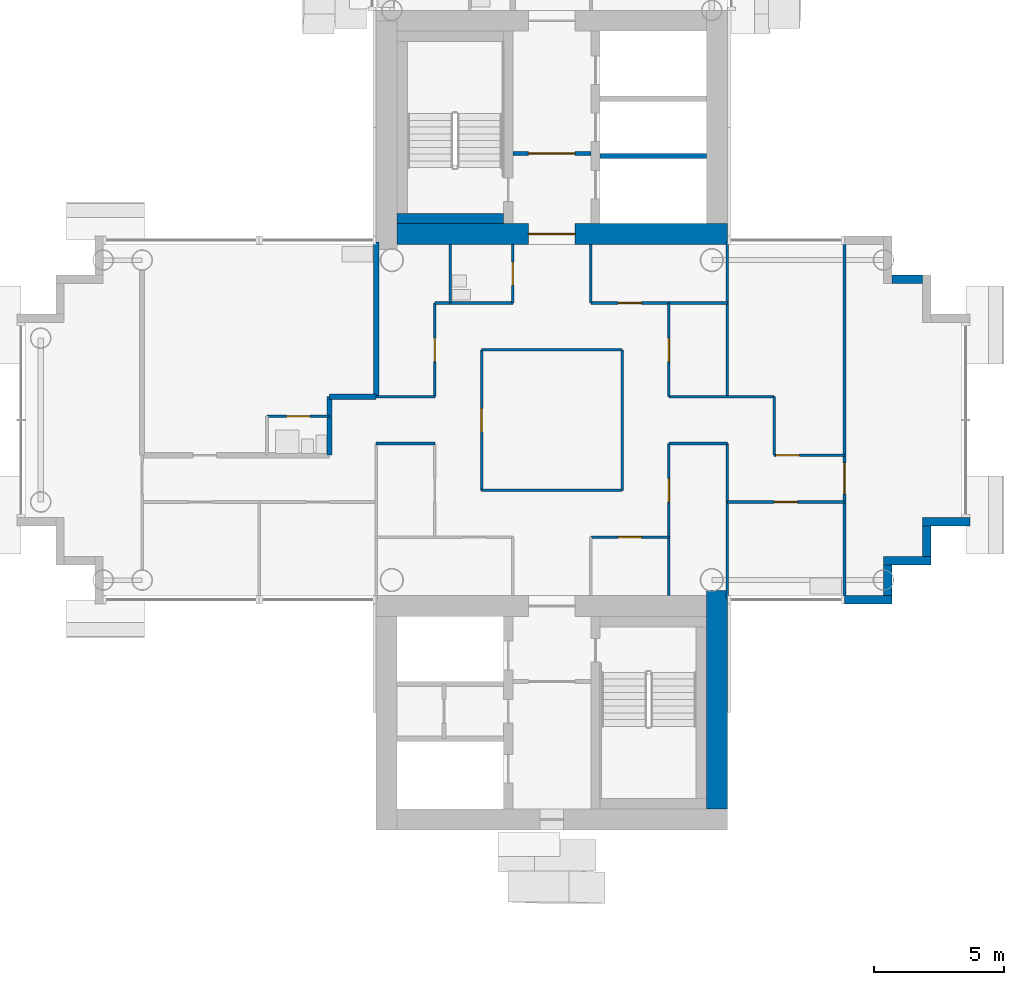
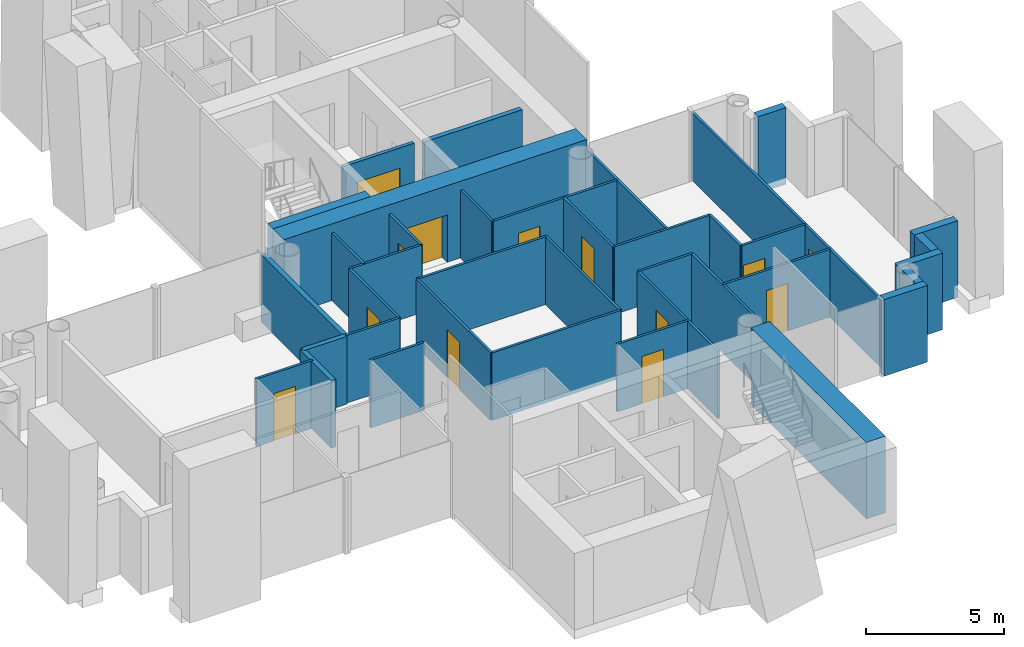
# One storey, part 10 of 18: 38 walls, 13 doors, 13 openings.
"""IFC4 building model written with IfcOpenShell, lengths in metres."""

from ifc_helpers import new_model, si_unit, direction, frame, frame_2d, origin, place, context, subcontext, project, spatial, rectangle, extrude, material, layer, layer_set, type_object, element, fill, save


model = new_model("IFC4")

# Units and contexts
model_context = context("Model", 3, precision=1e-05, world=origin(), true_north=direction((0.0, 1.0)))
body_context = subcontext(model_context, "Body", "Model", "MODEL_VIEW")
ifc_project = project(units=[si_unit("LENGTHUNIT", "METRE"), si_unit("AREAUNIT", "SQUARE_METRE"), si_unit("VOLUMEUNIT", "CUBIC_METRE"), si_unit("PLANEANGLEUNIT", "RADIAN"), si_unit("MASSUNIT", "GRAM", prefix="KILO")], contexts=[model_context])

# Site, building, storey
site_placement = place(None, origin())
site = spatial("IfcSite", under=ifc_project, at=site_placement, CompositionType="ELEMENT")
building_placement = place(site_placement, origin())
building = spatial("IfcBuilding", under=site, at=building_placement, Name="Ipe Terrace Towers", CompositionType="ELEMENT")
storey_placement = place(building_placement, frame((0.0, 0.0, 150.699951171875)))
storey = spatial("IfcBuildingStorey", under=building, at=storey_placement, Name="L41", CompositionType="ELEMENT", Elevation=150.699951171875)

# Walls
ifc_material_1 = material(Name="Concrete C40/50 with buff precast cladding", Category="concrete")
ifc_layer_1 = layer(ifc_material_1, 0.320068359375)
ifc_layer_set_1 = layer_set([ifc_layer_1], Name="BUFF CLADDING WALL 320")
wall_type_1 = type_object("IfcWallType", Name="BUFF CLADDING WALL 320", PredefinedType="STANDARD", material=ifc_layer_set_1)
wall_1_placement = place(storey_placement, frame((47.25, -6.909912109375, -0.300048828125), z_axis=(0.0, 0.0, 1.0), x_axis=(1.0, 0.0, 0.0)))
element("IfcWall", 1, at=wall_1_placement, inside=storey, type_object=wall_type_1, Name="T2-W-L41-03a wall", PredefinedType="STANDARD", context=body_context, shape_type="SweptSolid", body=[
    extrude(rectangle(XDim=1.820068359375, YDim=0.320068359375, at=frame_2d((0.91015625, 0.0))), origin(), (0.0, 0.0, 1.0), 3.400146484375),
])
wall_2_placement = place(storey_placement, frame((48.909912109375, -6.75, -0.300048828125), z_axis=(0.0, 0.0, 1.0), x_axis=(0.0, 1.0, 0.0)))
element("IfcWall", 2, at=wall_2_placement, inside=storey, type_object=wall_type_1, Name="T2-W-L41-04a wall", PredefinedType="STANDARD", context=body_context, shape_type="SweptSolid", body=[
    extrude(rectangle(XDim=1.179931640625, YDim=0.320068359375, at=frame_2d((0.58984375, 0.0))), origin(), (0.0, 0.0, 1.0), 3.400146484375),
])
wall_3_placement = place(storey_placement, frame((48.75, -5.409912109375, -0.300048828125), z_axis=(0.0, 0.0, 1.0), x_axis=(1.0, 0.0, 0.0)))
element("IfcWall", 3, at=wall_3_placement, inside=storey, type_object=wall_type_1, Name="T2-W-L41-05a wall", PredefinedType="STANDARD", context=body_context, shape_type="SweptSolid", body=[
    extrude(rectangle(XDim=1.820068359375, YDim=0.320068359375, at=frame_2d((0.91015625, 0.0))), origin(), (0.0, 0.0, 1.0), 3.400146484375),
])
wall_4_placement = place(storey_placement, frame((50.409912109375, -5.25, -0.300048828125), z_axis=(0.0, 0.0, 1.0), x_axis=(0.0, 1.0, 0.0)))
element("IfcWall", 4, at=wall_4_placement, inside=storey, type_object=wall_type_1, Name="T2-W-L41-06a wall", PredefinedType="STANDARD", context=body_context, shape_type="SweptSolid", body=[
    extrude(rectangle(XDim=1.179931640625, YDim=0.320068359375, at=frame_2d((0.58984375, 0.0))), origin(), (0.0, 0.0, 1.0), 3.400146484375),
])
wall_5_placement = place(storey_placement, frame((50.25, -3.909912109375, -0.300048828125), z_axis=(0.0, 0.0, 1.0), x_axis=(1.0, 0.0, 0.0)))
element("IfcWall", 5, at=wall_5_placement, inside=storey, type_object=wall_type_1, Name="T2-W-L41-07a wall", PredefinedType="STANDARD", context=body_context, shape_type="SweptSolid", body=[
    extrude(rectangle(XDim=1.820068359375, YDim=0.320068359375, at=frame_2d((0.91015625, 0.0))), origin(), (0.0, 0.0, 1.0), 3.400146484375),
])
wall_6_placement = place(storey_placement, frame((50.25, 5.409912109375, -0.300048828125), z_axis=(0.0, 0.0, 1.0), x_axis=(-1.0, 0.0, 0.0)))
element("IfcWall", 6, at=wall_6_placement, inside=storey, type_object=wall_type_1, Name="T2-W-L41-11a wall", PredefinedType="STANDARD", context=body_context, shape_type="SweptSolid", body=[
    extrude(rectangle(XDim=1.179931640625, YDim=0.320068359375, at=frame_2d((0.58984375, 0.0))), origin(), (0.0, 0.0, 1.0), 3.400146484375),
])

# Wall, opening, door
ifc_material_2 = material(Name="Gypsum board partition", Category="plasterboard")
ifc_layer_2 = layer(ifc_material_2, 0.10009765625)
ifc_layer_set_2 = layer_set([ifc_layer_2], Name="Gypsum board partition 100 mm")
wall_type_2 = type_object("IfcWallType", Name="Gypsum board partition 100 mm", PredefinedType="PARTITIONING", material=ifc_layer_set_2)
wall_7_placement = place(storey_placement, frame((40.5, -4.5, 0.0), z_axis=(0.0, 0.0, 1.0), x_axis=(-1.0, 0.0, 0.0)))
wall_7 = element("IfcWall", 7, at=wall_7_placement, inside=storey, type_object=wall_type_2, Name="Gypsum board partition T2 L41 W01", PredefinedType="PARTITIONING", context=body_context, shape_type="SweptSolid", body=[
    extrude(rectangle(XDim=3.0, YDim=0.10009765625, at=frame_2d((1.5, 0.0))), origin(), (0.0, 0.0, 1.0), 3.0),
])
opening_1_placement = place(wall_7_placement, frame((1.050048828125, 0.0, 0.0)))
opening_1 = element("IfcOpeningElement", 8, at=opening_1_placement, cuts=wall_7, Name="Opening T2-Z3B-07", PredefinedType="OPENING", context=body_context, shape_type="SweptSolid", body=[
    extrude(rectangle(XDim=0.89990234375, YDim=2.10009765625, at=frame_2d((0.449951171875, 1.050048828125))), frame((0.0, 0.06005859375, 0.0), z_axis=(0.0, -1.0, 0.0), x_axis=(1.0, 0.0, 0.0)), (0.0, 0.0, 1.0), 0.1201171875),
])
ifc_material_3 = material(Name="Timber door leaf", Category="wood")
door_type_1 = type_object("IfcDoorType", Name="Lounge door 900 x 2100", OperationType="NOTDEFINED", PredefinedType="DOOR", material=ifc_material_3)
door_1_placement = place(opening_1_placement, origin())
door_1 = element("IfcDoor", 9, at=door_1_placement, inside=storey, type_object=door_type_1, Name="Lounge door T2-Z3B-07", OperationType="SINGLE_SWING_LEFT", OverallHeight=2.10009765625, OverallWidth=0.89990234375, PredefinedType="DOOR", context=body_context, shape_type="SweptSolid", body=[
    extrude(rectangle(XDim=0.89990234375, YDim=2.10009765625, at=frame_2d((0.449951171875, 1.050048828125))), frame((0.0, 0.02490234375, 0.0), z_axis=(0.0, -1.0, 0.0), x_axis=(1.0, 0.0, 0.0)), (0.0, 0.0, 1.0), 0.050048828125),
])
fill(opening_1, door_1)

wall_8_placement = place(storey_placement, frame((47.25, -3.14990234375, 0.0), z_axis=(0.0, 0.0, 1.0), x_axis=(-1.0, 0.0, 0.0)))
wall_8 = element("IfcWall", 10, at=wall_8_placement, inside=storey, type_object=wall_type_2, Name="Gypsum board partition T2 L41 W03", PredefinedType="PARTITIONING", context=body_context, shape_type="SweptSolid", body=[
    extrude(rectangle(XDim=4.5, YDim=0.10009765625, at=frame_2d((2.25, 0.0))), origin(), (0.0, 0.0, 1.0), 3.0),
])
opening_2_placement = place(wall_8_placement, frame((1.800048828125, 0.0, 0.0)))
opening_2 = element("IfcOpeningElement", 11, at=opening_2_placement, cuts=wall_8, Name="Opening T2-Z3B-16", PredefinedType="OPENING", context=body_context, shape_type="SweptSolid", body=[
    extrude(rectangle(XDim=0.89990234375, YDim=2.10009765625, at=frame_2d((0.449951171875, 1.050048828125))), frame((0.0, 0.06005859375, 0.0), z_axis=(0.0, -1.0, 0.0), x_axis=(1.0, 0.0, 0.0)), (0.0, 0.0, 1.0), 0.1201171875),
])
door_2_placement = place(opening_2_placement, origin())
door_2 = element("IfcDoor", 12, at=door_2_placement, inside=storey, type_object=door_type_1, Name="Lounge door T2-Z3B-16", OperationType="SINGLE_SWING_LEFT", OverallHeight=2.10009765625, OverallWidth=0.89990234375, PredefinedType="DOOR", context=body_context, shape_type="SweptSolid", body=[
    extrude(rectangle(XDim=0.89990234375, YDim=2.10009765625, at=frame_2d((0.449951171875, 1.050048828125))), frame((0.0, 0.02490234375, 0.0), z_axis=(0.0, -1.0, 0.0), x_axis=(1.0, 0.0, 0.0)), (0.0, 0.0, 1.0), 0.050048828125),
])
fill(opening_2, door_2)

# Wall
wall_9_placement = place(storey_placement, frame((38.699951171875, -2.699951171875, 0.0), z_axis=(0.0, 0.0, 1.0), x_axis=(-1.0, 0.0, 0.0)))
element("IfcWall", 13, at=wall_9_placement, inside=storey, type_object=wall_type_2, Name="Gypsum board partition T2 L41 W05", PredefinedType="PARTITIONING", context=body_context, shape_type="SweptSolid", body=[
    extrude(rectangle(XDim=5.39990234375, YDim=0.10009765625, at=frame_2d((2.699951171875, 0.0))), origin(), (0.0, 0.0, 1.0), 3.0),
])

# Wall, opening, door
wall_10_placement = place(storey_placement, frame((47.25, -1.35009765625, 0.0), z_axis=(0.0, 0.0, 1.0), x_axis=(-1.0, 0.0, 0.0)))
wall_10 = element("IfcWall", 14, at=wall_10_placement, inside=storey, type_object=wall_type_2, Name="Gypsum board partition T2 L41 W06", PredefinedType="PARTITIONING", context=body_context, shape_type="SweptSolid", body=[
    extrude(rectangle(XDim=2.699951171875, YDim=0.10009765625, at=frame_2d((1.35009765625, 0.0))), origin(), (0.0, 0.0, 1.0), 3.0),
])
opening_3_placement = place(wall_10_placement, frame((1.72998046875, 0.0, 0.0)))
opening_3 = element("IfcOpeningElement", 15, at=opening_3_placement, cuts=wall_10, Name="Opening T2-Z3B-15", PredefinedType="OPENING", context=body_context, shape_type="SweptSolid", body=[
    extrude(rectangle(XDim=0.89990234375, YDim=2.10009765625, at=frame_2d((0.449951171875, 1.050048828125))), frame((0.0, 0.06005859375, 0.0), z_axis=(0.0, -1.0, 0.0), x_axis=(1.0, 0.0, 0.0)), (0.0, 0.0, 1.0), 0.1201171875),
])
door_3_placement = place(opening_3_placement, origin())
door_3 = element("IfcDoor", 16, at=door_3_placement, inside=storey, type_object=door_type_1, Name="Lounge door T2-Z3B-15", OperationType="SINGLE_SWING_RIGHT", OverallHeight=2.10009765625, OverallWidth=0.89990234375, PredefinedType="DOOR", context=body_context, shape_type="SweptSolid", body=[
    extrude(rectangle(XDim=0.89990234375, YDim=2.10009765625, at=frame_2d((0.449951171875, 1.050048828125))), frame((0.0, 0.02490234375, 0.0), z_axis=(0.0, -1.0, 0.0), x_axis=(1.0, 0.0, 0.0)), (0.0, 0.0, 1.0), 0.050048828125),
])
fill(opening_3, door_3)

# Walls
for number, where, z_axis, x_axis, name in (
    (17, (42.75, -0.89990234375, 0.0), (0.0, 0.0, 1.0), (-1.0, 0.0, 0.0), "Gypsum board partition T2 L41 W08"),
    (18, (31.5, -0.89990234375, 0.0), (0.0, 0.0, 1.0), (-1.0, 0.0, 0.0), "Gypsum board partition T2 L41 W09"),
):
    element("IfcWall", number, at=place(storey_placement, frame(where, z_axis=z_axis, x_axis=x_axis)), inside=storey, type_object=wall_type_2, Name=name, PredefinedType="PARTITIONING", context=body_context, shape_type="SweptSolid", body=[
        extrude(rectangle(XDim=2.25, YDim=0.10009765625, at=frame_2d((1.125, 0.0))), origin(), (0.0, 0.0, 1.0), 3.0),
    ])

# Wall, opening, door
wall_11_placement = place(storey_placement, frame((27.449951171875, 0.14990234375, 0.0), z_axis=(0.0, 0.0, 1.0), x_axis=(-1.0, 0.0, 0.0)))
wall_11 = element("IfcWall", 19, at=wall_11_placement, inside=storey, type_object=wall_type_2, Name="Gypsum board partition T2 L41 W10", PredefinedType="PARTITIONING", context=body_context, shape_type="SweptSolid", body=[
    extrude(rectangle(XDim=2.39990234375, YDim=0.10009765625, at=frame_2d((1.199951171875, 0.0))), origin(), (0.0, 0.0, 1.0), 3.0),
])
opening_4_placement = place(wall_11_placement, frame((0.75, 0.0, 0.0)))
opening_4 = element("IfcOpeningElement", 20, at=opening_4_placement, cuts=wall_11, Name="Opening T2-Z3B-13", PredefinedType="OPENING", context=body_context, shape_type="SweptSolid", body=[
    extrude(rectangle(XDim=0.89990234375, YDim=2.10009765625, at=frame_2d((0.449951171875, 1.050048828125))), frame((0.0, 0.06005859375, 0.0), z_axis=(0.0, -1.0, 0.0), x_axis=(1.0, 0.0, 0.0)), (0.0, 0.0, 1.0), 0.1201171875),
])
ifc_material_4 = material(Name="Timber door leaf", Category="wood")
door_type_2 = type_object("IfcDoorType", Name="Bathroom door 900 x 2100", OperationType="NOTDEFINED", PredefinedType="DOOR", material=ifc_material_4)
door_4_placement = place(opening_4_placement, origin())
door_4 = element("IfcDoor", 21, at=door_4_placement, inside=storey, type_object=door_type_2, Name="Bathroom door T2-Z3B-13", OperationType="SINGLE_SWING_LEFT", OverallHeight=2.10009765625, OverallWidth=0.89990234375, PredefinedType="DOOR", context=body_context, shape_type="SweptSolid", body=[
    extrude(rectangle(XDim=0.89990234375, YDim=2.10009765625, at=frame_2d((0.449951171875, 1.050048828125))), frame((0.0, 0.02490234375, 0.0), z_axis=(0.0, -1.0, 0.0), x_axis=(1.0, 0.0, 0.0)), (0.0, 0.0, 1.0), 0.050048828125),
])
fill(opening_4, door_4)

# Walls
wall_12_placement = place(storey_placement, frame((44.550048828125, 0.89990234375, 0.0), z_axis=(0.0, 0.0, 1.0), x_axis=(-1.0, 0.0, 0.0)))
element("IfcWall", 22, at=wall_12_placement, inside=storey, type_object=wall_type_2, Name="Gypsum board partition T2 L41 W11", PredefinedType="PARTITIONING", context=body_context, shape_type="SweptSolid", body=[
    extrude(rectangle(XDim=4.050048828125, YDim=0.10009765625, at=frame_2d((2.02490234375, 0.0))), origin(), (0.0, 0.0, 1.0), 3.0),
])
wall_13_placement = place(storey_placement, frame((31.5, 0.89990234375, 0.0), z_axis=(0.0, 0.0, 1.0), x_axis=(-1.0, 0.0, 0.0)))
element("IfcWall", 23, at=wall_13_placement, inside=storey, type_object=wall_type_2, Name="Gypsum board partition T2 L41 W12", PredefinedType="PARTITIONING", context=body_context, shape_type="SweptSolid", body=[
    extrude(rectangle(XDim=2.25, YDim=0.10009765625, at=frame_2d((1.125, 0.0))), origin(), (0.0, 0.0, 1.0), 3.0),
])
wall_14_placement = place(storey_placement, frame((38.699951171875, 2.699951171875, 0.0), z_axis=(0.0, 0.0, 1.0), x_axis=(-1.0, 0.0, 0.0)))
element("IfcWall", 24, at=wall_14_placement, inside=storey, type_object=wall_type_2, Name="Gypsum board partition T2 L41 W14", PredefinedType="PARTITIONING", context=body_context, shape_type="SweptSolid", body=[
    extrude(rectangle(XDim=5.39990234375, YDim=0.10009765625, at=frame_2d((2.699951171875, 0.0))), origin(), (0.0, 0.0, 1.0), 3.0),
])

# Wall, opening, door
wall_15_placement = place(storey_placement, frame((42.75, 4.5, 0.0), z_axis=(0.0, 0.0, 1.0), x_axis=(-1.0, 0.0, 0.0)))
wall_15 = element("IfcWall", 25, at=wall_15_placement, inside=storey, type_object=wall_type_2, Name="Gypsum board partition T2 L41 W15", PredefinedType="PARTITIONING", context=body_context, shape_type="SweptSolid", body=[
    extrude(rectangle(XDim=5.25, YDim=0.10009765625, at=frame_2d((2.625, 0.0))), origin(), (0.0, 0.0, 1.0), 3.0),
])
opening_5_placement = place(wall_15_placement, frame((3.300048828125, 0.0, 0.0)))
opening_5 = element("IfcOpeningElement", 26, at=opening_5_placement, cuts=wall_15, Name="Opening T2-Z3B-09", PredefinedType="OPENING", context=body_context, shape_type="SweptSolid", body=[
    extrude(rectangle(XDim=0.89990234375, YDim=2.10009765625, at=frame_2d((0.449951171875, 1.050048828125))), frame((0.0, 0.06005859375, 0.0), z_axis=(0.0, -1.0, 0.0), x_axis=(1.0, 0.0, 0.0)), (0.0, 0.0, 1.0), 0.1201171875),
])
door_5_placement = place(opening_5_placement, origin())
door_5 = element("IfcDoor", 27, at=door_5_placement, inside=storey, type_object=door_type_1, Name="Lounge door T2-Z3B-09", OperationType="SINGLE_SWING_RIGHT", OverallHeight=2.10009765625, OverallWidth=0.89990234375, PredefinedType="DOOR", context=body_context, shape_type="SweptSolid", body=[
    extrude(rectangle(XDim=0.89990234375, YDim=2.10009765625, at=frame_2d((0.449951171875, 1.050048828125))), frame((0.0, 0.02490234375, 0.0), z_axis=(0.0, -1.0, 0.0), x_axis=(1.0, 0.0, 0.0)), (0.0, 0.0, 1.0), 0.050048828125),
])
fill(opening_5, door_5)

# Wall
wall_16_placement = place(storey_placement, frame((34.5, 4.5, 0.0), z_axis=(0.0, 0.0, 1.0), x_axis=(-1.0, 0.0, 0.0)))
element("IfcWall", 28, at=wall_16_placement, inside=storey, type_object=wall_type_2, Name="Gypsum board partition T2 L41 W16", PredefinedType="PARTITIONING", context=body_context, shape_type="SweptSolid", body=[
    extrude(rectangle(XDim=3.0, YDim=0.10009765625, at=frame_2d((1.5, 0.0))), origin(), (0.0, 0.0, 1.0), 3.0),
])

# Wall, opening, door
wall_17_placement = place(storey_placement, frame((47.25, -6.85009765625, 0.0), z_axis=(0.0, 0.0, 1.0), x_axis=(0.0, 1.0, 0.0)))
wall_17 = element("IfcWall", 29, at=wall_17_placement, inside=storey, type_object=wall_type_2, Name="Gypsum board partition T2 L41 W20", PredefinedType="PARTITIONING", context=body_context, shape_type="SweptSolid", body=[
    extrude(rectangle(XDim=13.7001953125, YDim=0.10009765625, at=frame_2d((6.85009765625, 0.0))), origin(), (0.0, 0.0, 1.0), 3.0),
])
opening_6_placement = place(wall_17_placement, frame((4.0, 0.0, 0.0)))
opening_6 = element("IfcOpeningElement", 30, at=opening_6_placement, cuts=wall_17, Name="Opening T2-Z3B-17", PredefinedType="OPENING", context=body_context, shape_type="SweptSolid", body=[
    extrude(rectangle(XDim=1.199951171875, YDim=2.10009765625, at=frame_2d((0.60009765625, 1.050048828125))), frame((0.0, 0.06005859375, 0.0), z_axis=(0.0, -1.0, 0.0), x_axis=(1.0, 0.0, 0.0)), (0.0, 0.0, 1.0), 0.1201171875),
])
ifc_material_5 = material(Name="Timber door leaf", Category="wood")
door_type_3 = type_object("IfcDoorType", Name="Lounge door 1200 x 2100", OperationType="NOTDEFINED", PredefinedType="DOOR", material=ifc_material_5)
door_6_placement = place(opening_6_placement, origin())
door_6 = element("IfcDoor", 31, at=door_6_placement, inside=storey, type_object=door_type_3, Name="Lounge door T2-Z3B-17", OperationType="SINGLE_SWING_LEFT", OverallHeight=2.10009765625, OverallWidth=1.199951171875, PredefinedType="DOOR", context=body_context, shape_type="SweptSolid", body=[
    extrude(rectangle(XDim=1.199951171875, YDim=2.10009765625, at=frame_2d((0.60009765625, 1.050048828125))), frame((0.0, 0.02490234375, 0.0), z_axis=(0.0, -1.0, 0.0), x_axis=(1.0, 0.0, 0.0)), (0.0, 0.0, 1.0), 0.050048828125),
])
fill(opening_6, door_6)

# Walls
wall_18_placement = place(storey_placement, frame((44.550048828125, -1.35009765625, 0.0), z_axis=(0.0, 0.0, 1.0), x_axis=(0.0, 1.0, 0.0)))
element("IfcWall", 32, at=wall_18_placement, inside=storey, type_object=wall_type_2, Name="Gypsum board partition T2 L41 W21", PredefinedType="PARTITIONING", context=body_context, shape_type="SweptSolid", body=[
    extrude(rectangle(XDim=2.25, YDim=0.10009765625, at=frame_2d((1.125, 0.0))), origin(), (0.0, 0.0, 1.0), 3.0),
])
for number, where, z_axis, x_axis, name in (
    (33, (42.75, -6.85009765625, 0.0), (0.0, 0.0, 1.0), (0.0, 1.0, 0.0), "Gypsum board partition T2 L41 W22"),
    (34, (42.75, 0.89990234375, 0.0), (0.0, 0.0, 1.0), (0.0, 1.0, 0.0), "Gypsum board partition T2 L41 W23"),
):
    element("IfcWall", number, at=place(storey_placement, frame(where, z_axis=z_axis, x_axis=x_axis)), inside=storey, type_object=wall_type_2, Name=name, PredefinedType="PARTITIONING", context=body_context, shape_type="SweptSolid", body=[
        extrude(rectangle(XDim=5.9501953125, YDim=0.10009765625, at=frame_2d((2.97509765625, 0.0))), origin(), (0.0, 0.0, 1.0), 3.0),
    ])

# Wall, opening, door
wall_19_placement = place(storey_placement, frame((40.5, -6.75, 0.0), z_axis=(0.0, 0.0, 1.0), x_axis=(0.0, 1.0, 0.0)))
wall_19 = element("IfcWall", 35, at=wall_19_placement, inside=storey, type_object=wall_type_2, Name="Gypsum board partition T2 L41 W24", PredefinedType="PARTITIONING", context=body_context, shape_type="SweptSolid", body=[
    extrude(rectangle(XDim=5.85009765625, YDim=0.10009765625, at=frame_2d((2.925048828125, 0.0))), origin(), (0.0, 0.0, 1.0), 3.0),
])
opening_7_placement = place(wall_19_placement, frame((3.60009765625, 0.0, 0.0)))
opening_7 = element("IfcOpeningElement", 36, at=opening_7_placement, cuts=wall_19, Name="Opening T2-Z3B-06", PredefinedType="OPENING", context=body_context, shape_type="SweptSolid", body=[
    extrude(rectangle(XDim=0.89990234375, YDim=2.10009765625, at=frame_2d((0.449951171875, 1.050048828125))), frame((0.0, 0.06005859375, 0.0), z_axis=(0.0, -1.0, 0.0), x_axis=(1.0, 0.0, 0.0)), (0.0, 0.0, 1.0), 0.1201171875),
])
door_7_placement = place(opening_7_placement, origin())
door_7 = element("IfcDoor", 37, at=door_7_placement, inside=storey, type_object=door_type_1, Name="Lounge door T2-Z3B-06", OperationType="SINGLE_SWING_RIGHT", OverallHeight=2.10009765625, OverallWidth=0.89990234375, PredefinedType="DOOR", context=body_context, shape_type="SweptSolid", body=[
    extrude(rectangle(XDim=0.89990234375, YDim=2.10009765625, at=frame_2d((0.449951171875, 1.050048828125))), frame((0.0, 0.02490234375, 0.0), z_axis=(0.0, -1.0, 0.0), x_axis=(1.0, 0.0, 0.0)), (0.0, 0.0, 1.0), 0.050048828125),
])
fill(opening_7, door_7)

wall_20_placement = place(storey_placement, frame((40.5, 0.89990234375, 0.0), z_axis=(0.0, 0.0, 1.0), x_axis=(0.0, 1.0, 0.0)))
wall_20 = element("IfcWall", 38, at=wall_20_placement, inside=storey, type_object=wall_type_2, Name="Gypsum board partition T2 L41 W25", PredefinedType="PARTITIONING", context=body_context, shape_type="SweptSolid", body=[
    extrude(rectangle(XDim=3.60009765625, YDim=0.10009765625, at=frame_2d((1.800048828125, 0.0))), origin(), (0.0, 0.0, 1.0), 3.0),
])
opening_8_placement = place(wall_20_placement, frame((1.35009765625, 0.0, 0.0)))
opening_8 = element("IfcOpeningElement", 39, at=opening_8_placement, cuts=wall_20, Name="Opening T2-Z3B-08", PredefinedType="OPENING", context=body_context, shape_type="SweptSolid", body=[
    extrude(rectangle(XDim=0.89990234375, YDim=2.10009765625, at=frame_2d((0.449951171875, 1.050048828125))), frame((0.0, 0.06005859375, 0.0), z_axis=(0.0, -1.0, 0.0), x_axis=(1.0, 0.0, 0.0)), (0.0, 0.0, 1.0), 0.1201171875),
])
door_8_placement = place(opening_8_placement, origin())
door_8 = element("IfcDoor", 40, at=door_8_placement, inside=storey, type_object=door_type_1, Name="Lounge door T2-Z3B-08", OperationType="SINGLE_SWING_RIGHT", OverallHeight=2.10009765625, OverallWidth=0.89990234375, PredefinedType="DOOR", context=body_context, shape_type="SweptSolid", body=[
    extrude(rectangle(XDim=0.89990234375, YDim=2.10009765625, at=frame_2d((0.449951171875, 1.050048828125))), frame((0.0, 0.02490234375, 0.0), z_axis=(0.0, -1.0, 0.0), x_axis=(1.0, 0.0, 0.0)), (0.0, 0.0, 1.0), 0.050048828125),
])
fill(opening_8, door_8)

# Walls
wall_21_placement = place(storey_placement, frame((38.699951171875, -2.699951171875, 0.0), z_axis=(0.0, 0.0, 1.0), x_axis=(0.0, 1.0, 0.0)))
element("IfcWall", 41, at=wall_21_placement, inside=storey, type_object=wall_type_2, Name="Gypsum board partition T2 L41 W26", PredefinedType="PARTITIONING", context=body_context, shape_type="SweptSolid", body=[
    extrude(rectangle(XDim=5.39990234375, YDim=0.10009765625, at=frame_2d((2.699951171875, 0.0))), origin(), (0.0, 0.0, 1.0), 3.0),
])
wall_22_placement = place(storey_placement, frame((37.5, 4.5, 0.0), z_axis=(0.0, 0.0, 1.0), x_axis=(0.0, 1.0, 0.0)))
element("IfcWall", 42, at=wall_22_placement, inside=storey, type_object=wall_type_2, Name="Gypsum board partition T2 L41 W29", PredefinedType="PARTITIONING", context=body_context, shape_type="SweptSolid", body=[
    extrude(rectangle(XDim=2.25, YDim=0.10009765625, at=frame_2d((1.125, 0.0))), origin(), (0.0, 0.0, 1.0), 3.0),
])

# Wall, opening, door
wall_23_placement = place(storey_placement, frame((34.5, 4.5, 0.0), z_axis=(0.0, 0.0, 1.0), x_axis=(0.0, 1.0, 0.0)))
wall_23 = element("IfcWall", 43, at=wall_23_placement, inside=storey, type_object=wall_type_2, Name="Gypsum board partition T2 L41 W33", PredefinedType="PARTITIONING", context=body_context, shape_type="SweptSolid", body=[
    extrude(rectangle(XDim=2.25, YDim=0.10009765625, at=frame_2d((1.125, 0.0))), origin(), (0.0, 0.0, 1.0), 3.0),
])
opening_9_placement = place(wall_23_placement, frame((0.675048828125, 0.0, 0.0)))
opening_9 = element("IfcOpeningElement", 44, at=opening_9_placement, cuts=wall_23, Name="Opening T2-Z3B-02", PredefinedType="OPENING", context=body_context, shape_type="SweptSolid", body=[
    extrude(rectangle(XDim=0.89990234375, YDim=2.10009765625, at=frame_2d((0.449951171875, 1.050048828125))), frame((0.0, 0.06005859375, 0.0), z_axis=(0.0, -1.0, 0.0), x_axis=(1.0, 0.0, 0.0)), (0.0, 0.0, 1.0), 0.1201171875),
])
door_9_placement = place(opening_9_placement, origin())
door_9 = element("IfcDoor", 45, at=door_9_placement, inside=storey, type_object=door_type_2, Name="Bathroom door T2-Z3B-02", OperationType="SINGLE_SWING_LEFT", OverallHeight=2.10009765625, OverallWidth=0.89990234375, PredefinedType="DOOR", context=body_context, shape_type="SweptSolid", body=[
    extrude(rectangle(XDim=0.89990234375, YDim=2.10009765625, at=frame_2d((0.449951171875, 1.050048828125))), frame((0.0, 0.02490234375, 0.0), z_axis=(0.0, -1.0, 0.0), x_axis=(1.0, 0.0, 0.0)), (0.0, 0.0, 1.0), 0.050048828125),
])
fill(opening_9, door_9)

wall_24_placement = place(storey_placement, frame((33.300048828125, -2.699951171875, 0.0), z_axis=(0.0, 0.0, 1.0), x_axis=(0.0, 1.0, 0.0)))
wall_24 = element("IfcWall", 46, at=wall_24_placement, inside=storey, type_object=wall_type_2, Name="Gypsum board partition T2 L41 W36", PredefinedType="PARTITIONING", context=body_context, shape_type="SweptSolid", body=[
    extrude(rectangle(XDim=5.39990234375, YDim=0.10009765625, at=frame_2d((2.699951171875, 0.0))), origin(), (0.0, 0.0, 1.0), 3.0),
])
opening_10_placement = place(wall_24_placement, frame((2.25, 0.0, 0.0)))
opening_10 = element("IfcOpeningElement", 47, at=opening_10_placement, cuts=wall_24, Name="Opening T2-Z3B-01", PredefinedType="OPENING", context=body_context, shape_type="SweptSolid", body=[
    extrude(rectangle(XDim=0.89990234375, YDim=2.10009765625, at=frame_2d((0.449951171875, 1.050048828125))), frame((0.0, 0.06005859375, 0.0), z_axis=(0.0, -1.0, 0.0), x_axis=(1.0, 0.0, 0.0)), (0.0, 0.0, 1.0), 0.1201171875),
])
door_10_placement = place(opening_10_placement, origin())
door_10 = element("IfcDoor", 48, at=door_10_placement, inside=storey, type_object=door_type_1, Name="Lounge door T2-Z3B-01", OperationType="SINGLE_SWING_RIGHT", OverallHeight=2.10009765625, OverallWidth=0.89990234375, PredefinedType="DOOR", context=body_context, shape_type="SweptSolid", body=[
    extrude(rectangle(XDim=0.89990234375, YDim=2.10009765625, at=frame_2d((0.449951171875, 1.050048828125))), frame((0.0, 0.02490234375, 0.0), z_axis=(0.0, -1.0, 0.0), x_axis=(1.0, 0.0, 0.0)), (0.0, 0.0, 1.0), 0.050048828125),
])
fill(opening_10, door_10)

# Wall
wall_25_placement = place(storey_placement, frame((32.10009765625, 4.5, 0.0), z_axis=(0.0, 0.0, 1.0), x_axis=(0.0, 1.0, 0.0)))
element("IfcWall", 49, at=wall_25_placement, inside=storey, type_object=wall_type_2, Name="Gypsum board partition T2 L41 W38", PredefinedType="PARTITIONING", context=body_context, shape_type="SweptSolid", body=[
    extrude(rectangle(XDim=2.25, YDim=0.10009765625, at=frame_2d((1.125, 0.0))), origin(), (0.0, 0.0, 1.0), 3.0),
])

# Wall, opening, door
wall_26_placement = place(storey_placement, frame((31.5, 0.89990234375, 0.0), z_axis=(0.0, 0.0, 1.0), x_axis=(0.0, 1.0, 0.0)))
wall_26 = element("IfcWall", 50, at=wall_26_placement, inside=storey, type_object=wall_type_2, Name="Gypsum board partition T2 L41 W40", PredefinedType="PARTITIONING", context=body_context, shape_type="SweptSolid", body=[
    extrude(rectangle(XDim=3.60009765625, YDim=0.10009765625, at=frame_2d((1.800048828125, 0.0))), origin(), (0.0, 0.0, 1.0), 3.0),
])
opening_11_placement = place(wall_26_placement, frame((1.35009765625, 0.0, 0.0)))
opening_11 = element("IfcOpeningElement", 51, at=opening_11_placement, cuts=wall_26, Name="Opening T2-Z3B-03", PredefinedType="OPENING", context=body_context, shape_type="SweptSolid", body=[
    extrude(rectangle(XDim=0.89990234375, YDim=2.10009765625, at=frame_2d((0.449951171875, 1.050048828125))), frame((0.0, 0.06005859375, 0.0), z_axis=(0.0, -1.0, 0.0), x_axis=(1.0, 0.0, 0.0)), (0.0, 0.0, 1.0), 0.1201171875),
])
door_11_placement = place(opening_11_placement, origin())
door_11 = element("IfcDoor", 52, at=door_11_placement, inside=storey, type_object=door_type_1, Name="Lounge door T2-Z3B-03", OperationType="SINGLE_SWING_LEFT", OverallHeight=2.10009765625, OverallWidth=0.89990234375, PredefinedType="DOOR", context=body_context, shape_type="SweptSolid", body=[
    extrude(rectangle(XDim=0.89990234375, YDim=2.10009765625, at=frame_2d((0.449951171875, 1.050048828125))), frame((0.0, 0.02490234375, 0.0), z_axis=(0.0, -1.0, 0.0), x_axis=(1.0, 0.0, 0.0)), (0.0, 0.0, 1.0), 0.050048828125),
])
fill(opening_11, door_11)

ifc_material_6 = material(Name="Gypsum board partition", Category="plasterboard")
ifc_layer_3 = layer(ifc_material_6, 0.14990234375)
ifc_layer_set_3 = layer_set([ifc_layer_3], Name="Gypsum board partition 150 mm")
wall_type_3 = type_object("IfcWallType", Name="Gypsum board partition 150 mm", PredefinedType="PARTITIONING", material=ifc_layer_set_3)
wall_27_placement = place(storey_placement, frame((37.5, 10.25, 0.0), z_axis=(0.0, 0.0, 1.0), x_axis=(-1.0, 0.0, 0.0)))
wall_27 = element("IfcWall", 53, at=wall_27_placement, inside=storey, type_object=wall_type_3, Name="Gypsum board partition T2 L41 t2c1-lobby-wall", PredefinedType="PARTITIONING", context=body_context, shape_type="SweptSolid", body=[
    extrude(rectangle(XDim=3.0, YDim=0.14990234375, at=frame_2d((1.5, 0.0))), origin(), (0.0, 0.0, 1.0), 3.0),
])
opening_12_placement = place(wall_27_placement, frame((0.60009765625, 0.0, 0.0)))
opening_12 = element("IfcOpeningElement", 54, at=opening_12_placement, cuts=wall_27, Name="Opening T2C1-VD", PredefinedType="OPENING", context=body_context, shape_type="SweptSolid", body=[
    extrude(rectangle(XDim=1.800048828125, YDim=2.10009765625, at=frame_2d((0.89990234375, 1.050048828125))), frame((0.0, 0.0849609375, 0.0), z_axis=(0.0, -1.0, 0.0), x_axis=(1.0, 0.0, 0.0)), (0.0, 0.0, 1.0), 0.169921875),
])
ifc_material_7 = material(Name="Fire-rated timber door leaf", Category="wood")
door_type_4 = type_object("IfcDoorType", Name="Lobby door 1800 x 2100 FD60", OperationType="NOTDEFINED", PredefinedType="DOOR", material=ifc_material_7)
door_12_placement = place(opening_12_placement, origin())
door_12 = element("IfcDoor", 55, at=door_12_placement, inside=storey, type_object=door_type_4, Name="Lobby door T2C1-VD", OperationType="SINGLE_SWING_LEFT", OverallHeight=2.10009765625, OverallWidth=1.800048828125, PredefinedType="DOOR", context=body_context, shape_type="SweptSolid", body=[
    extrude(rectangle(XDim=1.800048828125, YDim=2.10009765625, at=frame_2d((0.89990234375, 1.050048828125))), frame((0.0, 0.02490234375, 0.0), z_axis=(0.0, -1.0, 0.0), x_axis=(1.0, 0.0, 0.0)), (0.0, 0.0, 1.0), 0.050048828125),
])
fill(opening_12, door_12)

# Walls
ifc_material_8 = material(Name="Gypsum board party wall", Category="plasterboard")
ifc_layer_4 = layer(ifc_material_8, 0.199951171875)
ifc_layer_set_4 = layer_set([ifc_layer_4], Name="Gypsum board party wall 200 mm")
wall_type_4 = type_object("IfcWallType", Name="Gypsum board party wall 200 mm", PredefinedType="SOLIDWALL", material=ifc_layer_set_4)
wall_28_placement = place(storey_placement, frame((41.949951171875, 10.14990234375, 0.0), z_axis=(0.0, 0.0, 1.0), x_axis=(-1.0, 0.0, 0.0)))
element("IfcWall", 56, at=wall_28_placement, inside=storey, type_object=wall_type_4, Name="Gypsum board party wall T2 L41 t2c1-shaft-div1", PredefinedType="SOLIDWALL", context=body_context, shape_type="SweptSolid", body=[
    extrude(rectangle(XDim=4.099853515625, YDim=0.199951171875, at=frame_2d((2.0498046875, 0.0))), origin(), (0.0, 0.0, 1.0), 3.0),
])
wall_29_placement = place(storey_placement, frame((29.25, 0.89990234375, 0.0), z_axis=(0.0, 0.0, 1.0), x_axis=(-1.0, 0.0, 0.0)))
element("IfcWall", 57, at=wall_29_placement, inside=storey, type_object=wall_type_4, Name="Gypsum board party wall T2 L41 W13", PredefinedType="SOLIDWALL", context=body_context, shape_type="SweptSolid", body=[
    extrude(rectangle(XDim=1.800048828125, YDim=0.199951171875, at=frame_2d((0.89990234375, 0.0))), origin(), (0.0, 0.0, 1.0), 3.0),
])
wall_30_placement = place(storey_placement, frame((29.25, 0.89990234375, 0.0), z_axis=(0.0, 0.0, 1.0), x_axis=(0.0, 1.0, 0.0)))
element("IfcWall", 58, at=wall_30_placement, inside=storey, type_object=wall_type_4, Name="Gypsum board party wall T2 L41 W42", PredefinedType="SOLIDWALL", context=body_context, shape_type="SweptSolid", body=[
    extrude(rectangle(XDim=5.9501953125, YDim=0.199951171875, at=frame_2d((2.97509765625, 0.0))), origin(), (0.0, 0.0, 1.0), 3.0),
])
wall_31_placement = place(storey_placement, frame((27.449951171875, -1.35009765625, 0.0), z_axis=(0.0, 0.0, 1.0), x_axis=(0.0, 1.0, 0.0)))
element("IfcWall", 59, at=wall_31_placement, inside=storey, type_object=wall_type_4, Name="Gypsum board party wall T2 L41 W43", PredefinedType="SOLIDWALL", context=body_context, shape_type="SweptSolid", body=[
    extrude(rectangle(XDim=2.25, YDim=0.199951171875, at=frame_2d((1.125, 0.0))), origin(), (0.0, 0.0, 1.0), 3.0),
])
ifc_material_9 = material(Name="Concrete C50/60", Category="concrete")
ifc_layer_5 = layer(ifc_material_9, 0.39990234375)
ifc_layer_set_5 = layer_set([ifc_layer_5], Name="RW400 CORE INFILL WALL 400 C50-60")
wall_type_5 = type_object("IfcWallType", Name="RW400 CORE INFILL WALL 400 C50-60", PredefinedType="SHEAR", material=ifc_layer_set_5)
wall_32_placement = place(storey_placement, frame((34.14990234375, 7.75, 0.0), z_axis=(0.0, 0.0, 1.0), x_axis=(-1.0, 0.0, 0.0)))
element("IfcWall", 60, at=wall_32_placement, inside=storey, type_object=wall_type_5, Name="Core infill wall T2-C1-near", PredefinedType="SHEAR", context=body_context, shape_type="SweptSolid", body=[
    extrude(rectangle(XDim=4.099853515625, YDim=0.39990234375, at=frame_2d((2.0498046875, 0.0))), origin(), (0.0, 0.0, 1.0), 3.400146484375),
])

# Wall, opening, door
ifc_material_10 = material(Name="Concrete C50/60", Category="concrete")
ifc_layer_6 = layer(ifc_material_10, 0.800048828125)
ifc_layer_set_6 = layer_set([ifc_layer_6], Name="RW800 CORE WALL 800 C50-60")
wall_type_6 = type_object("IfcWallType", Name="RW800 CORE WALL 800 C50-60", PredefinedType="SHEAR", material=ifc_layer_set_6)
wall_33_placement = place(storey_placement, frame((30.050048828125, 7.14990234375, 0.0), z_axis=(0.0, 0.0, 1.0), x_axis=(1.0, 0.0, 0.0)))
wall_33 = element("IfcWall", 61, at=wall_33_placement, inside=storey, type_object=wall_type_6, Name="Core wall T2-C1-Z3-W01", PredefinedType="SHEAR", context=body_context, shape_type="SweptSolid", body=[
    extrude(rectangle(XDim=12.699951171875, YDim=0.800048828125, at=frame_2d((6.35009765625, 0.0))), origin(), (0.0, 0.0, 1.0), 3.400146484375),
])
opening_13_placement = place(wall_33_placement, frame((5.050048828125, 0.0, 0.0)))
opening_13 = element("IfcOpeningElement", 62, at=opening_13_placement, cuts=wall_33, Name="Opening T2C1-ND", PredefinedType="OPENING", context=body_context, shape_type="SweptSolid", body=[
    extrude(rectangle(XDim=1.800048828125, YDim=2.10009765625, at=frame_2d((0.89990234375, 1.050048828125))), frame((0.0, 0.41015625, 0.0), z_axis=(0.0, -1.0, 0.0), x_axis=(1.0, 0.0, 0.0)), (0.0, 0.0, 1.0), 0.820068359375),
])
ifc_material_11 = material(Name="Fire-rated timber door leaf", Category="wood")
door_type_5 = type_object("IfcDoorType", Name="Fire door 1800 x 2100 FD30S", OperationType="NOTDEFINED", PredefinedType="DOOR", material=ifc_material_11)
door_13_placement = place(opening_13_placement, origin())
door_13 = element("IfcDoor", 63, at=door_13_placement, inside=storey, type_object=door_type_5, Name="Fire door T2C1-ND", OperationType="SINGLE_SWING_LEFT", OverallHeight=2.10009765625, OverallWidth=1.800048828125, PredefinedType="DOOR", context=body_context, shape_type="SweptSolid", body=[
    extrude(rectangle(XDim=1.800048828125, YDim=2.10009765625, at=frame_2d((0.89990234375, 1.050048828125))), frame((0.0, 0.02490234375, 0.0), z_axis=(0.0, -1.0, 0.0), x_axis=(1.0, 0.0, 0.0)), (0.0, 0.0, 1.0), 0.050048828125),
])
fill(opening_13, door_13)

# Wall
wall_34_placement = place(storey_placement, frame((42.35009765625, -14.949951171875, 0.0), z_axis=(0.0, 0.0, 1.0), x_axis=(0.0, 1.0, 0.0)))
element("IfcWall", 64, at=wall_34_placement, inside=storey, type_object=wall_type_6, Name="Core wall T2-C2-Z3-W02", PredefinedType="SHEAR", context=body_context, shape_type="SweptSolid", body=[
    extrude(rectangle(XDim=8.39794921875, YDim=0.800048828125, at=frame_2d((4.198974609375, 0.0))), origin(), (0.0, 0.0, 1.0), 3.400146484375),
])

save(model, "model.ifc")
